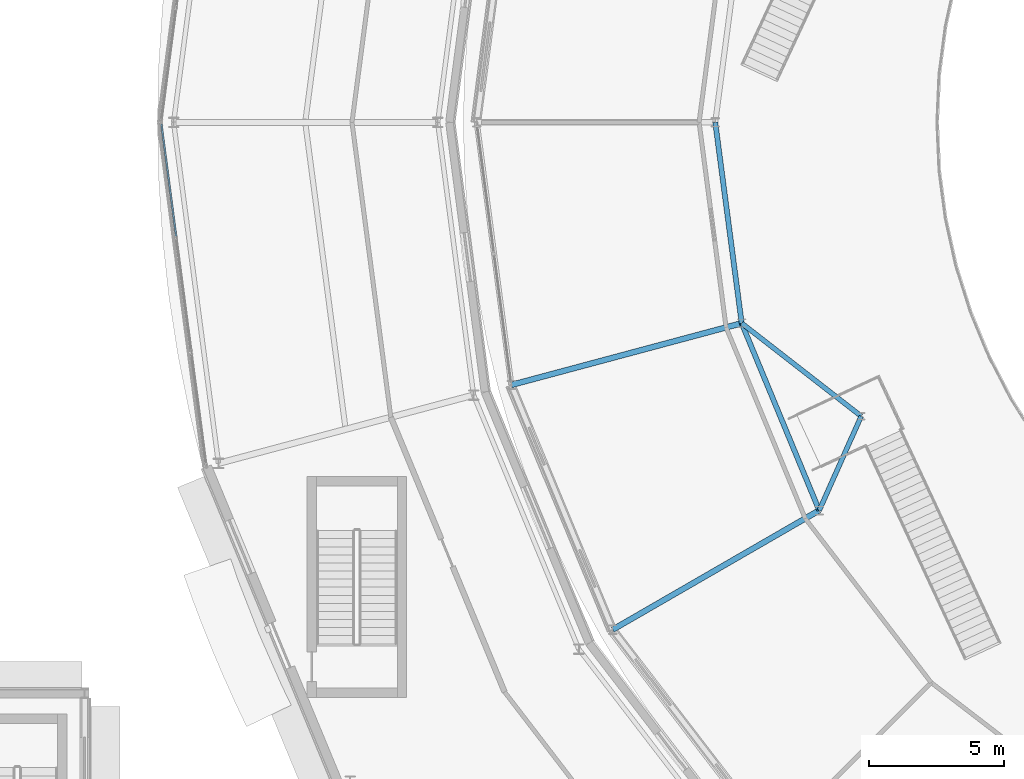
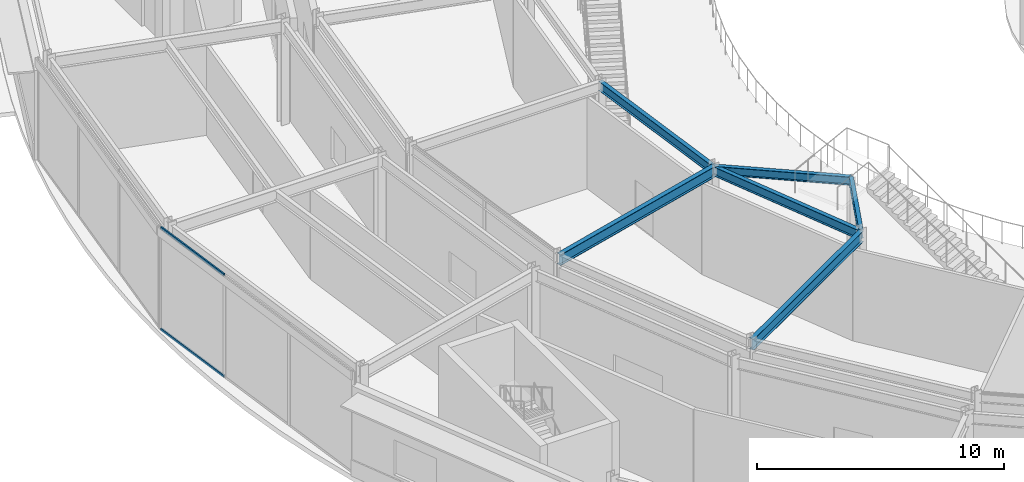
# One storey, part 36 of 168: 6 beams, 2 members, 1 element without a shape of its own.
"""IFC4 building model written with IfcOpenShell, lengths in metres."""

from ifc_helpers import new_model, si_unit, direction, frame, origin, origin_2d, place, context, subcontext, project, spatial, hollow_rectangle, i_section, extrude, material, material_profile, profile_set, type_object, element, aggregate, save


model = new_model("IFC4")

# Units and contexts
model_context = context("Model", 3, precision=1e-05, world=origin(), true_north=direction((0.0, 1.0)))
body_context = subcontext(model_context, "Body", "Model", "MODEL_VIEW")
ifc_project = project(units=[si_unit("LENGTHUNIT", "METRE"), si_unit("AREAUNIT", "SQUARE_METRE"), si_unit("VOLUMEUNIT", "CUBIC_METRE"), si_unit("PLANEANGLEUNIT", "RADIAN"), si_unit("MASSUNIT", "GRAM", prefix="KILO")], contexts=[model_context])

# Site, building, storey
site_placement = place(None, origin())
site = spatial("IfcSite", under=ifc_project, at=site_placement, CompositionType="ELEMENT")
building_placement = place(site_placement, origin())
building = spatial("IfcBuilding", under=site, at=building_placement, Name="Almandine Court Research Institute", CompositionType="ELEMENT")
storey_placement = place(building_placement, origin())
storey = spatial("IfcBuildingStorey", under=building, at=storey_placement, Name="L00", CompositionType="ELEMENT", Elevation=0.0)

# Beams
ifc_material_1 = material(Name="Steel ASTM A992 Grade 50", Category="steel")
ifc_material_profile_1 = material_profile(ifc_material_1, i_section(OverallWidth=0.18994140625, OverallDepth=0.45703125, WebThickness=0.009033203125, FlangeThickness=0.014892578125, at=origin_2d()), Name="W460x74")
ifc_profile_set_1 = profile_set([ifc_material_profile_1], Name="Steel ASTM A992 Grade 50")
beam_type_1 = type_object("IfcBeamType", Name="Beam-B-01", PredefinedType="BEAM", material=ifc_profile_set_1)
beam_1_placement = place(storey_placement, frame((58.199951171875, 56.0, 4.841064453125), z_axis=(0.130474672489, -0.991451642713, 0.0), x_axis=(0.991451642713, 0.130474672489, 0.0)))
element("IfcBeam", 1, at=beam_1_placement, inside=storey, type_object=beam_type_1, Name="L00 Atrium Gallery Edge Beam", PredefinedType="BEAM", context=body_context, shape_type="SweptSolid", body=[
    extrude(i_section(OverallWidth=0.18994140625, OverallDepth=0.45703125, WebThickness=0.009033203125, FlangeThickness=0.014892578125, at=origin_2d()), origin(), (0.0, 0.0, 1.0), 7.518310546875),
])
beam_2_placement = place(storey_placement, frame((59.180908203125, 48.5458984375, 4.841064453125), z_axis=(0.382700732442, -0.923872366395, 0.0), x_axis=(0.923872366395, 0.382700732442, 0.0)))
element("IfcBeam", 2, at=beam_2_placement, inside=storey, type_object=beam_type_1, Name="L00 Atrium Gallery Edge Beam", PredefinedType="BEAM", context=body_context, shape_type="SweptSolid", body=[
    extrude(i_section(OverallWidth=0.18994140625, OverallDepth=0.45703125, WebThickness=0.009033203125, FlangeThickness=0.014892578125, at=origin_2d()), origin(), (0.0, 0.0, 1.0), 7.51806640625),
])
ifc_material_profile_2 = material_profile(ifc_material_1, i_section(OverallWidth=0.178955078125, OverallDepth=0.409912109375, WebThickness=0.009033203125, FlangeThickness=0.013916015625, at=origin_2d()), Name="W410x67")
ifc_profile_set_2 = profile_set([ifc_material_profile_2], Name="Steel ASTM A992 Grade 50")
beam_type_2 = type_object("IfcBeamType", Name="Beam-B-02", PredefinedType="JOIST", material=ifc_profile_set_2)
beam_3_placement = place(storey_placement, frame((63.616943359375, 45.095947265625, 4.864990234375), z_axis=(-0.789377948914, 0.613907528679, 0.0), x_axis=(-0.613907528679, -0.789377948914, 0.0)))
element("IfcBeam", 3, at=beam_3_placement, inside=storey, type_object=beam_type_2, Name="L00 Atrium Stair 5 Landing Support Beam 1", PredefinedType="JOIST", context=body_context, shape_type="SweptSolid", body=[
    extrude(i_section(OverallWidth=0.178955078125, OverallDepth=0.409912109375, WebThickness=0.009033203125, FlangeThickness=0.013916015625, at=origin_2d()), origin(), (0.0, 0.0, 1.0), 5.61962890625),
])
beam_4_placement = place(storey_placement, frame((63.616943359375, 45.095947265625, 4.864990234375), z_axis=(-0.407256671854, -0.913313748517, 0.0), x_axis=(0.913313748517, -0.407256671854, 0.0)))
element("IfcBeam", 4, at=beam_4_placement, inside=storey, type_object=beam_type_2, Name="L00 Atrium Stair 5 Landing Support Beam 2", PredefinedType="JOIST", context=body_context, shape_type="SweptSolid", body=[
    extrude(i_section(OverallWidth=0.178955078125, OverallDepth=0.409912109375, WebThickness=0.009033203125, FlangeThickness=0.013916015625, at=origin_2d()), origin(), (0.0, 0.0, 1.0), 3.82763671875),
])
ifc_material_profile_3 = material_profile(ifc_material_1, i_section(OverallWidth=0.2109375, OverallDepth=0.5390625, WebThickness=0.011962890625, FlangeThickness=0.01904296875, at=origin_2d()), Name="W530x109")
ifc_profile_set_3 = profile_set([ifc_material_profile_3], Name="Steel ASTM A992 Grade 50")
beam_type_3 = type_object("IfcBeamType", Name="Beam-G-04", PredefinedType="BEAM", material=ifc_profile_set_3)
beam_5_placement = place(storey_placement, frame((59.180908203125, 48.5458984375, 4.801025390625), z_axis=(-0.965908147944, -0.258885012576, 0.0), x_axis=(0.258885012576, -0.965908147944, 0.0)))
element("IfcBeam", 5, at=beam_5_placement, inside=storey, type_object=beam_type_3, Name="L00 Atrium Gallery Radial Girder", PredefinedType="BEAM", context=body_context, shape_type="SweptSolid", body=[
    extrude(i_section(OverallWidth=0.2109375, OverallDepth=0.5390625, WebThickness=0.011962890625, FlangeThickness=0.01904296875, at=origin_2d()), origin(), (0.0, 0.0, 1.0), 8.849609375),
])
beam_6_placement = place(storey_placement, frame((62.05810546875, 41.60009765625, 4.801025390625), z_axis=(-0.866015604063, -0.50001697323, 0.0), x_axis=(0.50001697323, -0.866015604063, 0.0)))
element("IfcBeam", 6, at=beam_6_placement, inside=storey, type_object=beam_type_3, Name="L00 Atrium Gallery Radial Girder", PredefinedType="BEAM", context=body_context, shape_type="SweptSolid", body=[
    extrude(i_section(OverallWidth=0.2109375, OverallDepth=0.5390625, WebThickness=0.011962890625, FlangeThickness=0.01904296875, at=origin_2d()), origin(), (0.0, 0.0, 1.0), 8.849853515625),
])

# Curtain wall, members
ifc_material_2 = material(Name="Unitised Curtain Wall Framing and Solar Glazing", Category="glass")
curtain_wall_type = type_object("IfcCurtainWallType", Name="CW-CWJ-17", PredefinedType="USERDEFINED", material=ifc_material_2)
curtain_wall_placement = place(storey_placement, origin())
curtain_wall = element("IfcCurtainWall", 7, at=curtain_wall_placement, inside=storey, type_object=curtain_wall_type, Name="L00 Stacked-Ring Drum Outer Solar Jali Screen 12", ObjectType="SOLAR JALI SCREEN", PredefinedType="USERDEFINED")
ifc_material_3 = material(Name="Anodised Aluminium AW-6063-T6", Category="aluminium")
ifc_material_profile_4 = material_profile(ifc_material_3, hollow_rectangle(XDim=0.06494140625, YDim=0.1298828125, WallThickness=0.00390625, at=origin_2d()), Name="ALU RHS 65x130x4")
ifc_profile_set_4 = profile_set([ifc_material_profile_4], Name="Anodised Aluminium AW-6063-T6")
member_type = type_object("IfcMemberType", Name="CWTrn-65x130", PredefinedType="NOTDEFINED", material=ifc_profile_set_4)
member_1_placement = place(storey_placement, frame((38.196044921875, 51.7724609375, 0.032470703125), z_axis=(-0.130535805655, 0.991443595694, 0.0), x_axis=(-0.991443595694, -0.130535805655, 0.0)))
member_1 = element("IfcMember", 8, at=member_1_placement, type_object=member_type, Name="CWJ-17 transom 3.1", ObjectType="TRANSOM", PredefinedType="USERDEFINED", context=body_context, shape_type="SweptSolid", body=[
    extrude(hollow_rectangle(XDim=0.06494140625, YDim=0.1298828125, WallThickness=0.00390625, at=origin_2d()), origin(), (0.0, 0.0, 1.0), 4.195068359375),
])
member_2_placement = place(storey_placement, frame((38.196044921875, 51.7724609375, 5.03759765625), z_axis=(-0.130535805655, 0.991443595694, 0.0), x_axis=(-0.991443595694, -0.130535805655, 0.0)))
member_2 = element("IfcMember", 9, at=member_2_placement, type_object=member_type, Name="CWJ-17 transom 3.2", ObjectType="TRANSOM", PredefinedType="USERDEFINED", context=body_context, shape_type="SweptSolid", body=[
    extrude(hollow_rectangle(XDim=0.06494140625, YDim=0.1298828125, WallThickness=0.00390625, at=origin_2d()), origin(), (0.0, 0.0, 1.0), 4.195068359375),
])
aggregate(curtain_wall, [member_1, member_2])

save(model, "model.ifc")
